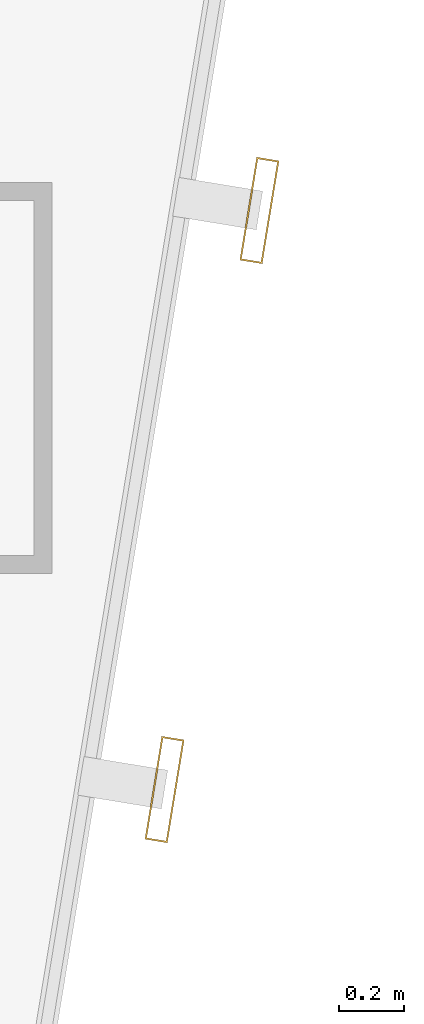
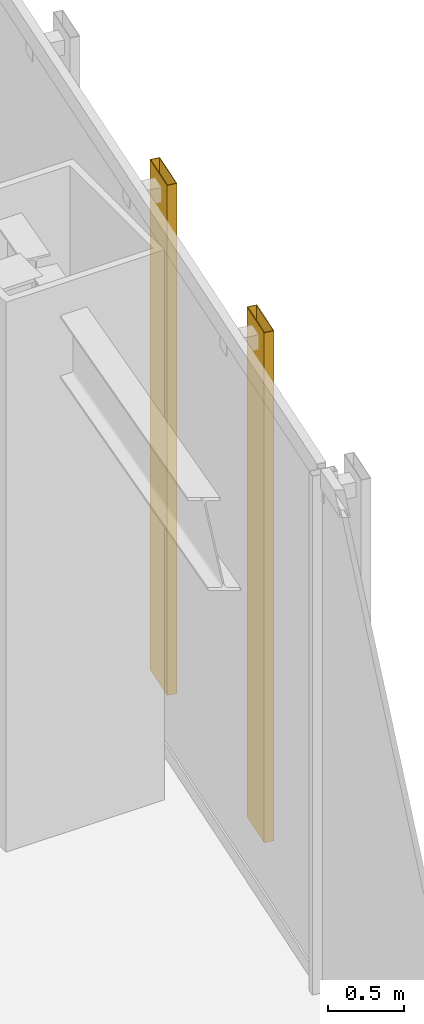
# One storey, part 45 of 49: 2 shading devices.
"""IFC4 building model written with IfcOpenShell, lengths in metres."""

from ifc_helpers import new_model, si_unit, direction, frame, origin, origin_2d, place, context, subcontext, project, spatial, hollow_rectangle, extrude, material, material_profile, profile_set, type_object, element, save


model = new_model("IFC4")

# Units and contexts
model_context = context("Model", 3, precision=1e-05, world=origin(), true_north=direction((0.0, 1.0)))
body_context = subcontext(model_context, "Body", "Model", "MODEL_VIEW")
ifc_project = project(units=[si_unit("LENGTHUNIT", "METRE"), si_unit("AREAUNIT", "SQUARE_METRE"), si_unit("VOLUMEUNIT", "CUBIC_METRE"), si_unit("PLANEANGLEUNIT", "RADIAN"), si_unit("MASSUNIT", "GRAM", prefix="KILO")], contexts=[model_context])

# Site, building, storey
site_placement = place(None, origin())
site = spatial("IfcSite", under=ifc_project, at=site_placement, CompositionType="ELEMENT")
building_placement = place(site_placement, origin())
building = spatial("IfcBuilding", under=site, at=building_placement, Name="Saevonmaru Cultural Tower", CompositionType="ELEMENT")
storey_placement = place(building_placement, frame((0.0, 0.0, 73.60009765625)))
storey = spatial("IfcBuildingStorey", under=building, at=storey_placement, Name="L15", CompositionType="ELEMENT", Elevation=73.60009765625)

# Shading devices
ifc_material = material(Name="Satin Bronze Anodised Aluminium", Category="aluminium")
ifc_material_profile = material_profile(ifc_material, hollow_rectangle(XDim=0.070068359375, YDim=0.320068359375, WallThickness=0.0048828125, at=origin_2d()), Name="FIN-320x70")
ifc_profile_set = profile_set([ifc_material_profile], Name="Satin Bronze Anodised Aluminium")
shading_device_type = type_object("IfcShadingDeviceType", Name="SHD-FIN-320", PredefinedType="JALOUSIE", material=ifc_profile_set)
for number, where, z_axis, x_axis, name in (
    (1, (52.6279296875, 30.737548828125, 0.0498046875), (0.0, 0.0, 1.0), (0.986827496189, -0.161776057456, 0.0), "L15 Art Deco Sawtooth Bronze Fin E8-15"),
    (2, (52.9189453125, 32.513916015625, 0.0498046875), (0.0, 0.0, 1.0), (0.986827496189, -0.161776057456, 0.0), "L15 Art Deco Sawtooth Bronze Fin E8-16"),
):
    element("IfcShadingDevice", number, at=place(storey_placement, frame(where, z_axis=z_axis, x_axis=x_axis)), inside=storey, type_object=shading_device_type, Name=name, PredefinedType="JALOUSIE", context=body_context, shape_type="SweptSolid", body=[
        extrude(hollow_rectangle(XDim=0.070068359375, YDim=0.320068359375, WallThickness=0.0048828125, at=origin_2d()), origin(), (0.0, 0.0, 1.0), 4.080078125),
    ])

save(model, "model.ifc")
